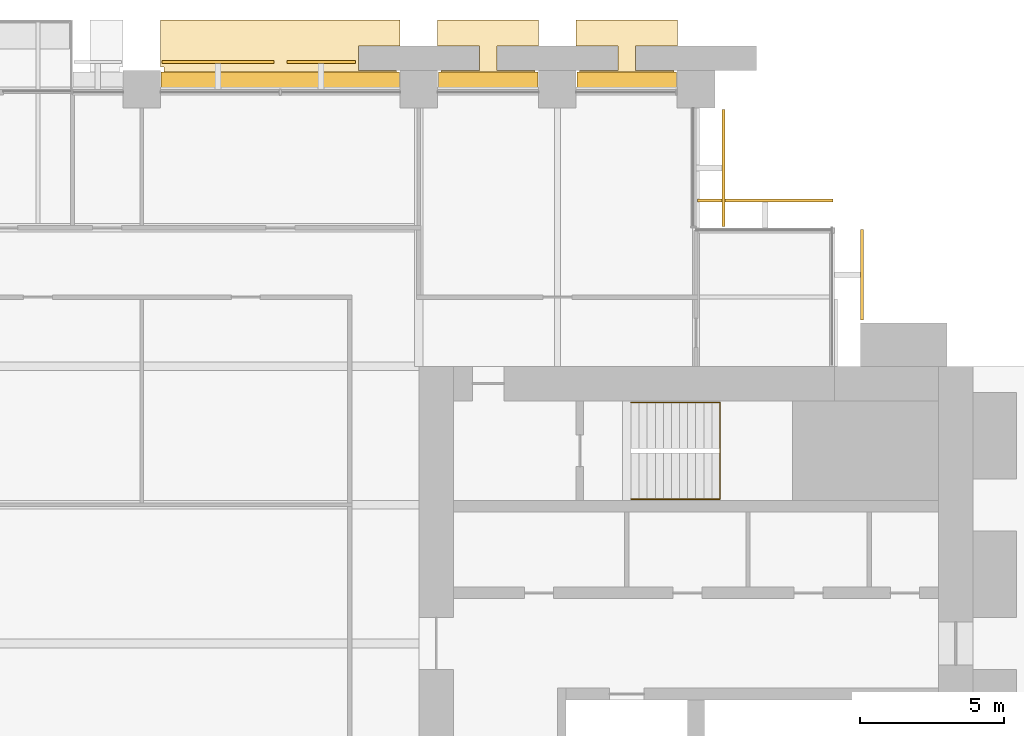
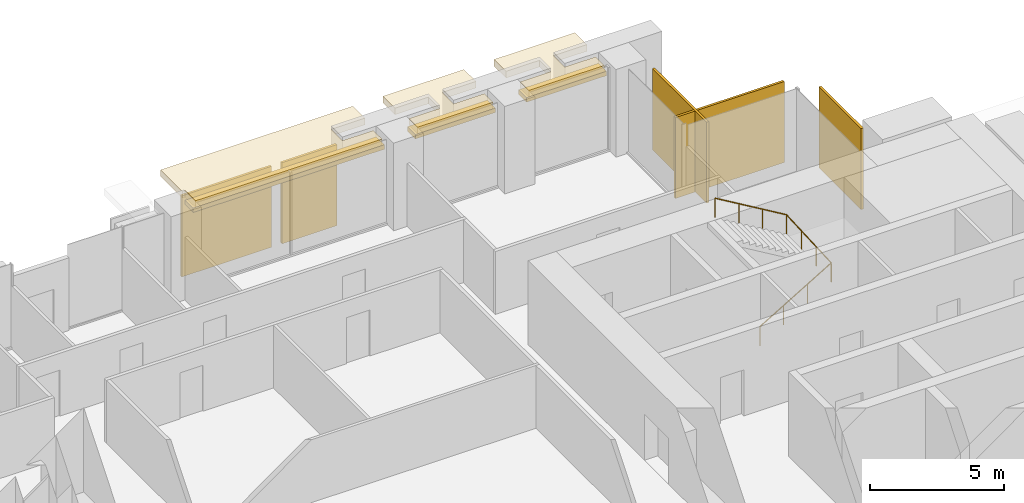
# One storey, part 15 of 15: 8 coverings, 3 shading devices, 1 railing.
"""IFC4 building model written with IfcOpenShell, lengths in metres."""

from ifc_helpers import new_model, si_unit, direction, frame, origin, origin_2d, place, context, subcontext, project, spatial, polyline, rectangle, circle, outline, extrude, material, layer, layer_set, type_object, element, save


model = new_model("IFC4")

# Units and contexts
model_context = context("Model", 3, precision=1e-05, world=origin(), true_north=direction((0.0, 1.0)))
body_context = subcontext(model_context, "Body", "Model", "MODEL_VIEW")
ifc_project = project(units=[si_unit("LENGTHUNIT", "METRE"), si_unit("AREAUNIT", "SQUARE_METRE"), si_unit("VOLUMEUNIT", "CUBIC_METRE"), si_unit("PLANEANGLEUNIT", "RADIAN"), si_unit("MASSUNIT", "GRAM", prefix="KILO")], contexts=[model_context])

# Site, building, storey
site_placement = place(None, origin())
site = spatial("IfcSite", under=ifc_project, at=site_placement, CompositionType="ELEMENT")
building_placement = place(site_placement, origin())
building = spatial("IfcBuilding", under=site, at=building_placement, Name="Baori Bourse Tower", CompositionType="ELEMENT")
storey_placement = place(building_placement, frame((0.0, 0.0, 47.0)))
storey = spatial("IfcBuildingStorey", under=building, at=storey_placement, Name="L09", CompositionType="ELEMENT", Elevation=47.0)

# Coverings
ifc_material_1 = material(Name="Pale anodised aluminium", Category="aluminium")
covering_type_1 = type_object("IfcCoveringType", Name="BD1 Pale metal band", PredefinedType="CLADDING", material=ifc_material_1)
covering_1_placement = place(storey_placement, frame((0.0, 0.0, 3.5400390625)))
element("IfcCovering", 1, at=covering_1_placement, inside=storey, type_object=covering_type_1, Name="Pale projecting band L09 2", PredefinedType="CLADDING", context=body_context, shape_type="SweptSolid", body=[
    extrude(outline(polyline([(43.969970703125, 48.0), (47.22998046875, 48.0), (47.22998046875, 48.64990234375), (45.89990234375, 48.64990234375), (45.89990234375, 49.5), (47.35009765625, 49.5), (47.35009765625, 50.39990234375), (43.85009765625, 50.39990234375), (43.85009765625, 49.5), (45.300048828125, 49.5), (45.300048828125, 48.64990234375), (43.969970703125, 48.64990234375), (43.969970703125, 48.0)])), origin(), (0.0, 0.0, 1.0), 0.300048828125),
])
covering_2_placement = place(storey_placement, frame((0.0, 0.0, 3.5400390625)))
element("IfcCovering", 2, at=covering_2_placement, inside=storey, type_object=covering_type_1, Name="Pale projecting band L09 3", PredefinedType="CLADDING", context=body_context, shape_type="SweptSolid", body=[
    extrude(outline(polyline([(39.169921875, 48.0), (42.429931640625, 48.0), (42.429931640625, 48.64990234375), (41.10009765625, 48.64990234375), (41.10009765625, 49.5), (42.550048828125, 49.5), (42.550048828125, 50.39990234375), (39.050048828125, 50.39990234375), (39.050048828125, 49.5), (40.5, 49.5), (40.5, 48.64990234375), (39.169921875, 48.64990234375), (39.169921875, 48.0)])), origin(), (0.0, 0.0, 1.0), 0.300048828125),
])
covering_3_placement = place(storey_placement, frame((0.0, 0.0, 3.5400390625)))
element("IfcCovering", 3, at=covering_3_placement, inside=storey, type_object=covering_type_1, Name="Pale projecting band L09 4", PredefinedType="CLADDING", context=body_context, shape_type="SweptSolid", body=[
    extrude(outline(polyline([(29.570068359375, 48.0), (37.6298828125, 48.0), (37.6298828125, 48.64990234375), (36.300048828125, 48.64990234375), (36.300048828125, 49.5), (37.75, 49.5), (37.75, 50.39990234375), (29.449951171875, 50.39990234375), (29.449951171875, 48.77001953125), (29.570068359375, 48.77001953125), (29.570068359375, 48.0)])), origin(), (0.0, 0.0, 1.0), 0.300048828125),
])

# Shading devices
ifc_material_2 = material(Name="Concrete f'c 40 MPa", Category="concrete")
ifc_layer_1 = layer(ifc_material_2, 0.199951171875)
ifc_layer_set_1 = layer_set([ifc_layer_1], Name="BS1 Brise-soleil ledge")
shading_device_type = type_object("IfcShadingDeviceType", Name="BS1 Brise-soleil ledge", PredefinedType="USERDEFINED", material=ifc_layer_set_1)
for number, where, z_axis, x_axis, name in (
    (4, (45.60009765625, 48.300048828125, 3.33984375), (0.0, 0.0, 1.0), (-1.0, 0.0, 0.0), "Brise-soleil ledge L09 1"),
    (5, (40.800048828125, 48.300048828125, 3.33984375), (0.0, 0.0, 1.0), (-1.0, 0.0, 0.0), "Brise-soleil ledge L09 2"),
):
    element("IfcShadingDevice", number, at=place(storey_placement, frame(where, z_axis=z_axis, x_axis=x_axis)), inside=storey, type_object=shading_device_type, Name=name, ObjectType="BRISE SOLEIL", PredefinedType="USERDEFINED", context=body_context, shape_type="SweptSolid", body=[
        extrude(rectangle(XDim=3.4599609375, YDim=0.60009765625, at=origin_2d()), origin(), (0.0, 0.0, 1.0), 0.199951171875),
    ])
shading_device_placement = place(storey_placement, frame((33.60009765625, 48.300048828125, 3.33984375), z_axis=(0.0, 0.0, 1.0), x_axis=(-1.0, 0.0, 0.0)))
element("IfcShadingDevice", 6, at=shading_device_placement, inside=storey, type_object=shading_device_type, Name="Brise-soleil ledge L09 3", ObjectType="BRISE SOLEIL", PredefinedType="USERDEFINED", context=body_context, shape_type="SweptSolid", body=[
    extrude(rectangle(XDim=8.260009765625, YDim=0.60009765625, at=origin_2d()), origin(), (0.0, 0.0, 1.0), 0.199951171875),
])

# Railing
ifc_material_3 = material(Name="Powder-coated steel balustrade", Category="steel")
railing_type = type_object("IfcRailingType", Name="Core stair handrail", PredefinedType="HANDRAIL", material=ifc_material_3)
railing_placement = place(storey_placement, frame((45.75, 33.800048828125, 0.166748046875)))
element("IfcRailing", 7, at=railing_placement, inside=storey, type_object=railing_type, Name="L09 ST4 stair handrail 1", PredefinedType="HANDRAIL", context=body_context, shape_type="SweptSolid", body=[
    extrude(circle(Radius=0.02392578125, at=origin_2d()), frame((0.0, 0.0, 0.8759765625), z_axis=(0.859308565015, 0.0, 0.511457515432), x_axis=(0.0, 1.0, 0.0)), (0.0, 0.0, 1.0), 3.58447265625),
    extrude(circle(Radius=0.02392578125, at=origin_2d()), frame((3.080078125, 0.0, 2.708984375), z_axis=(0.0, 0.998763387249, 0.04971615724), x_axis=(-1.0, 0.0, 0.0)), (0.0, 0.0, 1.0), 3.35400390625),
    extrude(circle(Radius=0.02392578125, at=origin_2d()), frame((3.080078125, 3.349853515625, 2.8759765625), z_axis=(-0.859308565015, 0.0, 0.511457515432), x_axis=(0.0, -1.0, 0.0)), (0.0, 0.0, 1.0), 3.58447265625),
    extrude(circle(Radius=0.02099609375, at=origin_2d()), origin(), (0.0, 0.0, 1.0), 0.851806640625),
    extrude(circle(Radius=0.02099609375, at=origin_2d()), frame((1.026611328125, 0.0, 0.611083984375)), (0.0, 0.0, 1.0), 0.851806640625),
    extrude(circle(Radius=0.02099609375, at=origin_2d()), frame((2.053466796875, 0.0, 1.22216796875)), (0.0, 0.0, 1.0), 0.851806640625),
    extrude(circle(Radius=0.02099609375, at=origin_2d()), frame((3.080078125, 0.0, 1.833251953125)), (0.0, 0.0, 1.0), 0.851806640625),
    extrude(circle(Radius=0.02099609375, at=origin_2d()), frame((3.080078125, 1.11669921875, 1.888916015625)), (0.0, 0.0, 1.0), 0.851806640625),
    extrude(circle(Radius=0.02099609375, at=origin_2d()), frame((3.080078125, 2.233154296875, 1.9443359375)), (0.0, 0.0, 1.0), 0.851806640625),
    extrude(circle(Radius=0.02099609375, at=origin_2d()), frame((3.080078125, 3.349853515625, 2.0)), (0.0, 0.0, 1.0), 0.851806640625),
    extrude(circle(Radius=0.02099609375, at=origin_2d()), frame((2.053466796875, 3.349853515625, 2.611083984375)), (0.0, 0.0, 1.0), 0.851806640625),
    extrude(circle(Radius=0.02099609375, at=origin_2d()), frame((1.026611328125, 3.349853515625, 3.22216796875)), (0.0, 0.0, 1.0), 0.851806640625),
    extrude(circle(Radius=0.02099609375, at=origin_2d()), frame((0.0, 3.349853515625, 3.833251953125)), (0.0, 0.0, 1.0), 0.851806640625),
])

# Coverings
ifc_material_4 = material(Name="Pale anodised aluminium", Category="aluminium")
ifc_layer_2 = layer(ifc_material_4, 0.10009765625)
ifc_layer_set_2 = layer_set([ifc_layer_2], Name="OS3 Outer skin screen panel")
covering_type_2 = type_object("IfcCoveringType", Name="OS3 Outer skin screen panel", PredefinedType="CLADDING", material=ifc_layer_set_2)
covering_4_placement = place(storey_placement, frame((0.0, 0.0, -0.159912109375)))
element("IfcCovering", 8, at=covering_4_placement, inside=storey, type_object=covering_type_2, Name="Outer skin screen L09 1", PredefinedType="CLADDING", context=body_context, shape_type="SweptSolid", body=[
    extrude(outline(polyline([(53.699951171875, 43.14990234375), (53.699951171875, 40.0), (53.800048828125, 40.0), (53.800048828125, 43.14990234375), (53.699951171875, 43.14990234375)])), origin(), (0.0, 0.0, 1.0), 3.699951171875),
])
covering_5_placement = place(storey_placement, frame((0.0, 0.0, -0.159912109375)))
element("IfcCovering", 9, at=covering_5_placement, inside=storey, type_object=covering_type_2, Name="Outer skin screen L09 2", PredefinedType="CLADDING", context=body_context, shape_type="SweptSolid", body=[
    extrude(outline(polyline([(48.050048828125, 44.10009765625), (52.75, 44.10009765625), (52.75, 44.199951171875), (48.050048828125, 44.199951171875), (48.050048828125, 44.10009765625)])), origin(), (0.0, 0.0, 1.0), 3.699951171875),
])
covering_6_placement = place(storey_placement, frame((0.0, 0.0, -0.159912109375)))
element("IfcCovering", 10, at=covering_6_placement, inside=storey, type_object=covering_type_2, Name="Outer skin screen L09 3", PredefinedType="CLADDING", context=body_context, shape_type="SweptSolid", body=[
    extrude(outline(polyline([(48.89990234375, 47.300048828125), (48.89990234375, 43.25), (49.0, 43.25), (49.0, 47.300048828125), (48.89990234375, 47.300048828125)])), origin(), (0.0, 0.0, 1.0), 3.699951171875),
])
covering_7_placement = place(storey_placement, frame((0.0, 0.0, -0.159912109375)))
element("IfcCovering", 11, at=covering_7_placement, inside=storey, type_object=covering_type_2, Name="Outer skin screen L09 4", PredefinedType="CLADDING", context=body_context, shape_type="SweptSolid", body=[
    extrude(outline(polyline([(33.824951171875, 48.89990234375), (36.199951171875, 48.89990234375), (36.199951171875, 49.0), (33.824951171875, 49.0), (33.824951171875, 48.89990234375)])), origin(), (0.0, 0.0, 1.0), 3.699951171875),
])
covering_8_placement = place(storey_placement, frame((0.0, 0.0, -0.159912109375)))
element("IfcCovering", 12, at=covering_8_placement, inside=storey, type_object=covering_type_2, Name="Outer skin screen L09 5", PredefinedType="CLADDING", context=body_context, shape_type="SweptSolid", body=[
    extrude(outline(polyline([(29.5, 48.89990234375), (33.375, 48.89990234375), (33.375, 49.0), (29.5, 49.0), (29.5, 48.89990234375)])), origin(), (0.0, 0.0, 1.0), 3.699951171875),
])

save(model, "model.ifc")
